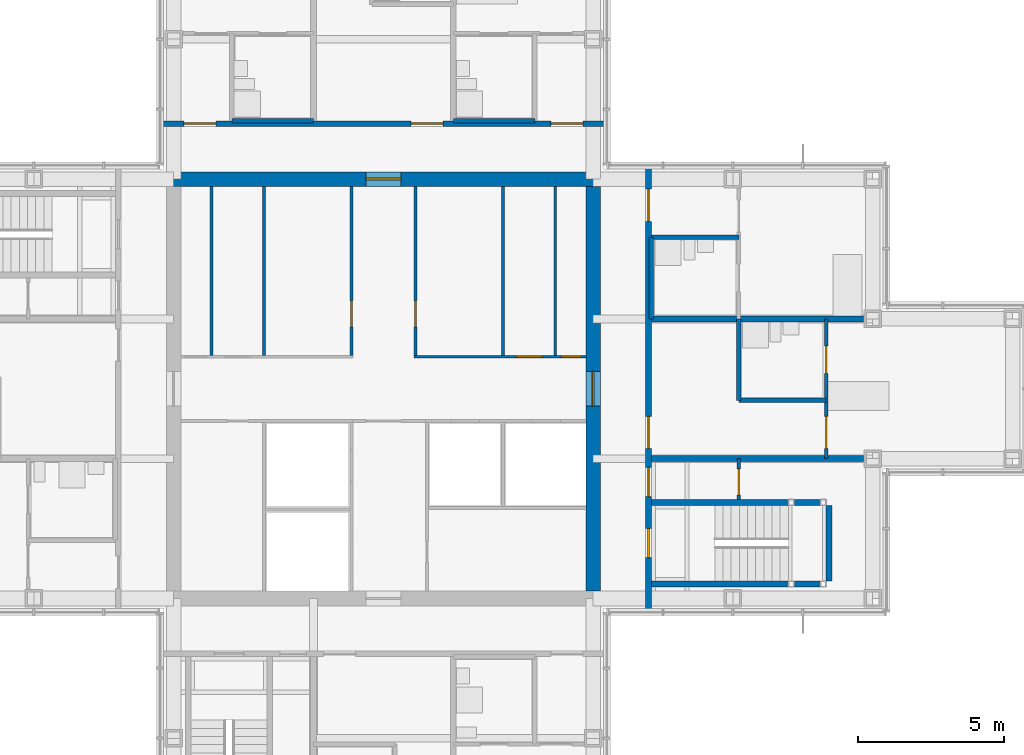
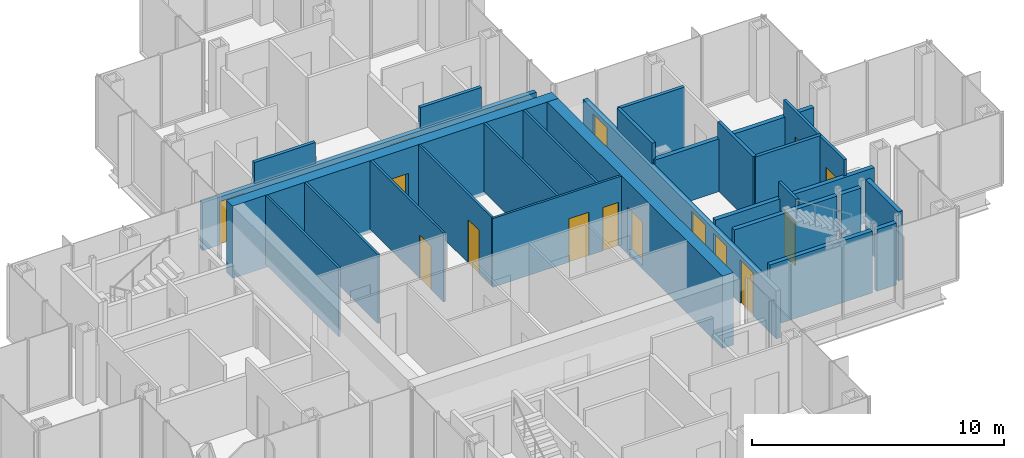
# One storey, part 13 of 17: 26 walls, 16 doors, 16 openings.
"""IFC4 building model written with IfcOpenShell, lengths in metres."""

from ifc_helpers import new_model, si_unit, direction, frame, frame_2d, origin, place, context, subcontext, project, spatial, rectangle, extrude, material, layer, layer_set, type_object, element, fill, save


model = new_model("IFC4")

# Units and contexts
model_context = context("Model", 3, precision=1e-05, world=origin(), true_north=direction((0.0, 1.0)))
body_context = subcontext(model_context, "Body", "Model", "MODEL_VIEW")
ifc_project = project(units=[si_unit("LENGTHUNIT", "METRE"), si_unit("AREAUNIT", "SQUARE_METRE"), si_unit("VOLUMEUNIT", "CUBIC_METRE"), si_unit("PLANEANGLEUNIT", "RADIAN"), si_unit("MASSUNIT", "GRAM", prefix="KILO")], contexts=[model_context])

# Site, building, storey
site_placement = place(None, origin())
site = spatial("IfcSite", under=ifc_project, at=site_placement, CompositionType="ELEMENT")
building_placement = place(site_placement, origin())
building = spatial("IfcBuilding", under=site, at=building_placement, Name="Kvirike Care Tower", CompositionType="ELEMENT")
storey_placement = place(building_placement, frame((0.0, 0.0, 176.0)))
storey = spatial("IfcBuildingStorey", under=building, at=storey_placement, Name="L48", CompositionType="ELEMENT", Elevation=176.0)

# Walls
ifc_material_1 = material(Name="Moisture-resistant board partition", Category="gypsum")
ifc_layer_1 = layer(ifc_material_1, 0.14990234375)
ifc_layer_set_1 = layer_set([ifc_layer_1], Name="BATHROOM WALL 150")
wall_type_1 = type_object("IfcWallType", Name="BATHROOM WALL 150", PredefinedType="PARTITIONING", material=ifc_layer_set_1)
for number, where, z_axis, x_axis, name in (
    (1, (26.800048828125, 45.199951171875, 0.0), (0.0, 0.0, 1.0), (-1.0, 0.0, 0.0), "Bathroom Wall 150 L48"),
    (2, (19.199951171875, 45.199951171875, 0.0), (0.0, 0.0, 1.0), (-1.0, 0.0, 0.0), "Bathroom Wall 150 L48"),
):
    element("IfcWall", number, at=place(storey_placement, frame(where, z_axis=z_axis, x_axis=x_axis)), inside=storey, type_object=wall_type_1, Name=name, PredefinedType="PARTITIONING", context=body_context, shape_type="SweptSolid", body=[
        extrude(rectangle(XDim=2.800048828125, YDim=0.14990234375, at=frame_2d((1.39990234375, 0.0))), origin(), (0.0, 0.0, 1.0), 3.330078125),
    ])
wall_1_placement = place(storey_placement, frame((36.800048828125, 35.60009765625, 0.0), z_axis=(0.0, 0.0, 1.0), x_axis=(-1.0, 0.0, 0.0)))
element("IfcWall", 3, at=wall_1_placement, inside=storey, type_object=wall_type_1, Name="Bathroom Wall 150 L48", PredefinedType="PARTITIONING", context=body_context, shape_type="SweptSolid", body=[
    extrude(rectangle(XDim=3.0, YDim=0.14990234375, at=frame_2d((1.5, 0.0))), origin(), (0.0, 0.0, 1.0), 3.330078125),
])
wall_2_placement = place(storey_placement, frame((33.800048828125, 35.60009765625, 0.0), z_axis=(0.0, 0.0, 1.0), x_axis=(0.0, 1.0, 0.0)))
element("IfcWall", 4, at=wall_2_placement, inside=storey, type_object=wall_type_1, Name="Bathroom Wall 150 L48", PredefinedType="PARTITIONING", context=body_context, shape_type="SweptSolid", body=[
    extrude(rectangle(XDim=2.7998046875, YDim=0.14990234375, at=frame_2d((1.39990234375, 0.0))), origin(), (0.0, 0.0, 1.0), 3.330078125),
])
wall_3_placement = place(storey_placement, frame((33.800048828125, 41.199951171875, 0.0), z_axis=(0.0, 0.0, 1.0), x_axis=(-1.0, 0.0, 0.0)))
element("IfcWall", 5, at=wall_3_placement, inside=storey, type_object=wall_type_1, Name="Bathroom Wall 150 L48", PredefinedType="PARTITIONING", context=body_context, shape_type="SweptSolid", body=[
    extrude(rectangle(XDim=3.0, YDim=0.14990234375, at=frame_2d((1.5, 0.0))), origin(), (0.0, 0.0, 1.0), 3.330078125),
])
wall_4_placement = place(storey_placement, frame((30.800048828125, 38.39990234375, 0.0), z_axis=(0.0, 0.0, 1.0), x_axis=(0.0, 1.0, 0.0)))
element("IfcWall", 6, at=wall_4_placement, inside=storey, type_object=wall_type_1, Name="Bathroom Wall 150 L48", PredefinedType="PARTITIONING", context=body_context, shape_type="SweptSolid", body=[
    extrude(rectangle(XDim=2.800048828125, YDim=0.14990234375, at=frame_2d((1.39990234375, 0.0))), origin(), (0.0, 0.0, 1.0), 3.330078125),
])

# Wall, opening, door
ifc_material_2 = material(Name="Concrete C45/55", Category="concrete")
ifc_layer_2 = layer(ifc_material_2, 0.5)
ifc_layer_set_2 = layer_set([ifc_layer_2], Name="CORE WALL 500 C45-55")
wall_type_2 = type_object("IfcWallType", Name="CORE WALL 500 C45-55", PredefinedType="SHEAR", material=ifc_layer_set_2)
wall_5_placement = place(storey_placement, frame((29.050048828125, 43.199951171875, -0.169921875), z_axis=(0.0, 0.0, 1.0), x_axis=(-1.0, 0.0, 0.0)))
wall_5 = element("IfcWall", 7, at=wall_5_placement, inside=storey, type_object=wall_type_2, Name="Core wall N L48", PredefinedType="SHEAR", context=body_context, shape_type="SweptSolid", body=[
    extrude(rectangle(XDim=14.900146484375, YDim=0.5, at=frame_2d((7.4501953125, 0.0))), origin(), (0.0, 0.0, 1.0), 3.5),
])
opening_1_placement = place(wall_5_placement, frame((6.85009765625, 0.0, 0.169921875)))
opening_1 = element("IfcOpeningElement", 8, at=opening_1_placement, cuts=wall_5, Name="Opening 48-052", PredefinedType="OPENING", context=body_context, shape_type="SweptSolid", body=[
    extrude(rectangle(XDim=1.199951171875, YDim=2.10009765625, at=frame_2d((0.60009765625, 1.050048828125))), frame((0.0, 0.260498046875, 0.0), z_axis=(0.0, -1.0, 0.0), x_axis=(1.0, 0.0, 0.0)), (0.0, 0.0, 1.0), 0.52099609375),
])
ifc_material_3 = material(Name="Timber door set", Category="wood")
door_type_1 = type_object("IfcDoorType", Name="CORE DOOR 1200", OperationType="SINGLE_SWING_LEFT", PredefinedType="DOOR", material=ifc_material_3)
door_1_placement = place(opening_1_placement, origin())
door_1 = element("IfcDoor", 9, at=door_1_placement, inside=storey, type_object=door_type_1, Name="Core door N L48", OperationType="SINGLE_SWING_LEFT", OverallHeight=2.10009765625, OverallWidth=1.199951171875, PredefinedType="DOOR", context=body_context, shape_type="SweptSolid", body=[
    extrude(rectangle(XDim=1.199951171875, YDim=2.10009765625, at=frame_2d((0.60009765625, 1.050048828125))), frame((0.0, 0.02685546875, 0.0), z_axis=(0.0, -1.0, 0.0), x_axis=(1.0, 0.0, 0.0)), (0.0, 0.0, 1.0), 0.053955078125),
])
fill(opening_1, door_1)

wall_6_placement = place(storey_placement, frame((28.800048828125, 29.050048828125, -0.169921875), z_axis=(0.0, 0.0, 1.0), x_axis=(0.0, 1.0, 0.0)))
wall_6 = element("IfcWall", 10, at=wall_6_placement, inside=storey, type_object=wall_type_2, Name="Core wall E L48", PredefinedType="SHEAR", context=body_context, shape_type="SweptSolid", body=[
    extrude(rectangle(XDim=13.89990234375, YDim=0.5, at=frame_2d((6.949951171875, 0.0))), origin(), (0.0, 0.0, 1.0), 3.5),
])
opening_2_placement = place(wall_6_placement, frame((6.35009765625, 0.0, 0.169921875)))
opening_2 = element("IfcOpeningElement", 11, at=opening_2_placement, cuts=wall_6, Name="Opening 48-051", PredefinedType="OPENING", context=body_context, shape_type="SweptSolid", body=[
    extrude(rectangle(XDim=1.199951171875, YDim=2.10009765625, at=frame_2d((0.60009765625, 1.050048828125))), frame((0.0, 0.260498046875, 0.0), z_axis=(0.0, -1.0, 0.0), x_axis=(1.0, 0.0, 0.0)), (0.0, 0.0, 1.0), 0.52099609375),
])
door_2_placement = place(opening_2_placement, origin())
door_2 = element("IfcDoor", 12, at=door_2_placement, inside=storey, type_object=door_type_1, Name="Core door E L48", OperationType="SINGLE_SWING_LEFT", OverallHeight=2.10009765625, OverallWidth=1.199951171875, PredefinedType="DOOR", context=body_context, shape_type="SweptSolid", body=[
    extrude(rectangle(XDim=1.199951171875, YDim=2.10009765625, at=frame_2d((0.60009765625, 1.050048828125))), frame((0.0, 0.02685546875, 0.0), z_axis=(0.0, -1.0, 0.0), x_axis=(1.0, 0.0, 0.0)), (0.0, 0.0, 1.0), 0.053955078125),
])
fill(opening_2, door_2)

# Wall, openings, doors
ifc_material_4 = material(Name="Plasterboard corridor wall", Category="gypsum")
ifc_layer_3 = layer(ifc_material_4, 0.199951171875)
ifc_layer_set_3 = layer_set([ifc_layer_3], Name="CORRIDOR WALL 200")
wall_type_3 = type_object("IfcWallType", Name="CORRIDOR WALL 200", PredefinedType="PARTITIONING", material=ifc_layer_set_3)
wall_7_placement = place(storey_placement, frame((29.25, 45.10009765625, 0.0), z_axis=(0.0, 0.0, 1.0), x_axis=(-1.0, 0.0, 0.0)))
wall_7 = element("IfcWall", 13, at=wall_7_placement, inside=storey, type_object=wall_type_3, Name="Corridor Wall 200 L48", PredefinedType="PARTITIONING", context=body_context, shape_type="SweptSolid", body=[
    extrude(rectangle(XDim=15.300048828125, YDim=0.199951171875, at=frame_2d((7.64990234375, 0.0))), origin(), (0.0, 0.0, 1.0), 2.320068359375),
])
opening_3_placement = place(wall_7_placement, frame((0.800048828125, 0.0, 0.0)))
opening_3 = element("IfcOpeningElement", 14, at=opening_3_placement, cuts=wall_7, Name="Opening 48-024", PredefinedType="OPENING", context=body_context, shape_type="SweptSolid", body=[
    extrude(rectangle(XDim=1.10009765625, YDim=2.10009765625, at=frame_2d((0.550048828125, 1.050048828125))), frame((0.0, 0.110595703125, 0.0), z_axis=(0.0, -1.0, 0.0), x_axis=(1.0, 0.0, 0.0)), (0.0, 0.0, 1.0), 0.220947265625),
])
opening_4_placement = place(wall_7_placement, frame((5.60009765625, 0.0, 0.0)))
opening_4 = element("IfcOpeningElement", 15, at=opening_4_placement, cuts=wall_7, Name="Opening 48-025", PredefinedType="OPENING", context=body_context, shape_type="SweptSolid", body=[
    extrude(rectangle(XDim=1.10009765625, YDim=2.10009765625, at=frame_2d((0.550048828125, 1.050048828125))), frame((0.0, 0.110595703125, 0.0), z_axis=(0.0, -1.0, 0.0), x_axis=(1.0, 0.0, 0.0)), (0.0, 0.0, 1.0), 0.220947265625),
])
opening_5_placement = place(wall_7_placement, frame((13.39990234375, 0.0, 0.0)))
opening_5 = element("IfcOpeningElement", 16, at=opening_5_placement, cuts=wall_7, Name="Opening 48-026", PredefinedType="OPENING", context=body_context, shape_type="SweptSolid", body=[
    extrude(rectangle(XDim=1.10009765625, YDim=2.10009765625, at=frame_2d((0.550048828125, 1.050048828125))), frame((0.0, 0.110595703125, 0.0), z_axis=(0.0, -1.0, 0.0), x_axis=(1.0, 0.0, 0.0)), (0.0, 0.0, 1.0), 0.220947265625),
])
ifc_material_5 = material(Name="Timber door set", Category="wood")
door_type_2 = type_object("IfcDoorType", Name="BEDROOM ENTRANCE DOOR 1100", OperationType="SINGLE_SWING_LEFT", PredefinedType="DOOR", material=ifc_material_5)
door_3_placement = place(opening_3_placement, frame((1.10009765625, 0.0, 0.0), z_axis=(0.0, 0.0, 1.0), x_axis=(-1.0, 0.0, 0.0)))
door_3 = element("IfcDoor", 17, at=door_3_placement, inside=storey, type_object=door_type_2, Name="Memory care bedroom entrance", OperationType="SINGLE_SWING_LEFT", OverallHeight=2.10009765625, OverallWidth=1.10009765625, PredefinedType="DOOR", context=body_context, shape_type="SweptSolid", body=[
    extrude(rectangle(XDim=1.10009765625, YDim=2.10009765625, at=frame_2d((0.550048828125, 1.050048828125))), frame((0.0, 0.02685546875, 0.0), z_axis=(0.0, -1.0, 0.0), x_axis=(1.0, 0.0, 0.0)), (0.0, 0.0, 1.0), 0.053955078125),
])
fill(opening_3, door_3)
door_4_placement = place(opening_4_placement, frame((1.10009765625, 0.0, 0.0), z_axis=(0.0, 0.0, 1.0), x_axis=(-1.0, 0.0, 0.0)))
door_4 = element("IfcDoor", 18, at=door_4_placement, inside=storey, type_object=door_type_2, Name="Memory care bedroom entrance", OperationType="SINGLE_SWING_LEFT", OverallHeight=2.10009765625, OverallWidth=1.10009765625, PredefinedType="DOOR", context=body_context, shape_type="SweptSolid", body=[
    extrude(rectangle(XDim=1.10009765625, YDim=2.10009765625, at=frame_2d((0.550048828125, 1.050048828125))), frame((0.0, 0.02685546875, 0.0), z_axis=(0.0, -1.0, 0.0), x_axis=(1.0, 0.0, 0.0)), (0.0, 0.0, 1.0), 0.053955078125),
])
fill(opening_4, door_4)
door_5_placement = place(opening_5_placement, frame((1.10009765625, 0.0, 0.0), z_axis=(0.0, 0.0, 1.0), x_axis=(-1.0, 0.0, 0.0)))
door_5 = element("IfcDoor", 19, at=door_5_placement, inside=storey, type_object=door_type_2, Name="Memory care bedroom entrance", OperationType="SINGLE_SWING_RIGHT", OverallHeight=2.10009765625, OverallWidth=1.10009765625, PredefinedType="DOOR", context=body_context, shape_type="SweptSolid", body=[
    extrude(rectangle(XDim=1.10009765625, YDim=2.10009765625, at=frame_2d((0.550048828125, 1.050048828125))), frame((0.0, 0.02685546875, 0.0), z_axis=(0.0, -1.0, 0.0), x_axis=(1.0, 0.0, 0.0)), (0.0, 0.0, 1.0), 0.053955078125),
])
fill(opening_5, door_5)

wall_8_placement = place(storey_placement, frame((30.699951171875, 28.35009765625, 0.0), z_axis=(0.0, 0.0, 1.0), x_axis=(0.0, 1.0, 0.0)))
wall_8 = element("IfcWall", 20, at=wall_8_placement, inside=storey, type_object=wall_type_3, Name="Corridor Wall 200 L48", PredefinedType="PARTITIONING", context=body_context, shape_type="SweptSolid", body=[
    extrude(rectangle(XDim=15.2998046875, YDim=0.199951171875, at=frame_2d((7.64990234375, 0.0))), origin(), (0.0, 0.0, 1.0), 2.320068359375),
])
opening_6_placement = place(wall_8_placement, frame((1.85009765625, 0.0, 0.0)))
opening_6 = element("IfcOpeningElement", 21, at=opening_6_placement, cuts=wall_8, Name="Opening 48-032", PredefinedType="OPENING", context=body_context, shape_type="SweptSolid", body=[
    extrude(rectangle(XDim=1.0, YDim=2.10009765625, at=frame_2d((0.5, 1.050048828125))), frame((0.0, 0.110595703125, 0.0), z_axis=(0.0, -1.0, 0.0), x_axis=(1.0, 0.0, 0.0)), (0.0, 0.0, 1.0), 0.220947265625),
])
opening_7_placement = place(wall_8_placement, frame((3.949951171875, 0.0, 0.0)))
opening_7 = element("IfcOpeningElement", 22, at=opening_7_placement, cuts=wall_8, Name="Opening 48-033", PredefinedType="OPENING", context=body_context, shape_type="SweptSolid", body=[
    extrude(rectangle(XDim=1.0, YDim=2.10009765625, at=frame_2d((0.5, 1.050048828125))), frame((0.0, 0.110595703125, 0.0), z_axis=(0.0, -1.0, 0.0), x_axis=(1.0, 0.0, 0.0)), (0.0, 0.0, 1.0), 0.220947265625),
])
opening_8_placement = place(wall_8_placement, frame((5.60009765625, 0.0, 0.0)))
opening_8 = element("IfcOpeningElement", 23, at=opening_8_placement, cuts=wall_8, Name="Opening 48-034", PredefinedType="OPENING", context=body_context, shape_type="SweptSolid", body=[
    extrude(rectangle(XDim=1.10009765625, YDim=2.10009765625, at=frame_2d((0.550048828125, 1.050048828125))), frame((0.0, 0.110595703125, 0.0), z_axis=(0.0, -1.0, 0.0), x_axis=(1.0, 0.0, 0.0)), (0.0, 0.0, 1.0), 0.220947265625),
])
opening_9_placement = place(wall_8_placement, frame((13.39990234375, 0.0, 0.0)))
opening_9 = element("IfcOpeningElement", 24, at=opening_9_placement, cuts=wall_8, Name="Opening 48-035", PredefinedType="OPENING", context=body_context, shape_type="SweptSolid", body=[
    extrude(rectangle(XDim=1.10009765625, YDim=2.10009765625, at=frame_2d((0.550048828125, 1.050048828125))), frame((0.0, 0.110595703125, 0.0), z_axis=(0.0, -1.0, 0.0), x_axis=(1.0, 0.0, 0.0)), (0.0, 0.0, 1.0), 0.220947265625),
])
door_6_placement = place(opening_8_placement, frame((1.10009765625, 0.0, 0.0), z_axis=(0.0, 0.0, 1.0), x_axis=(-1.0, 0.0, 0.0)))
door_6 = element("IfcDoor", 25, at=door_6_placement, inside=storey, type_object=door_type_2, Name="Memory care bedroom entrance", OperationType="SINGLE_SWING_LEFT", OverallHeight=2.10009765625, OverallWidth=1.10009765625, PredefinedType="DOOR", context=body_context, shape_type="SweptSolid", body=[
    extrude(rectangle(XDim=1.10009765625, YDim=2.10009765625, at=frame_2d((0.550048828125, 1.050048828125))), frame((0.0, 0.02685546875, 0.0), z_axis=(0.0, -1.0, 0.0), x_axis=(1.0, 0.0, 0.0)), (0.0, 0.0, 1.0), 0.053955078125),
])
fill(opening_8, door_6)
door_7_placement = place(opening_9_placement, frame((1.10009765625, 0.0, 0.0), z_axis=(0.0, 0.0, 1.0), x_axis=(-1.0, 0.0, 0.0)))
door_7 = element("IfcDoor", 26, at=door_7_placement, inside=storey, type_object=door_type_2, Name="Memory care bedroom entrance", OperationType="SINGLE_SWING_RIGHT", OverallHeight=2.10009765625, OverallWidth=1.10009765625, PredefinedType="DOOR", context=body_context, shape_type="SweptSolid", body=[
    extrude(rectangle(XDim=1.10009765625, YDim=2.10009765625, at=frame_2d((0.550048828125, 1.050048828125))), frame((0.0, 0.02685546875, 0.0), z_axis=(0.0, -1.0, 0.0), x_axis=(1.0, 0.0, 0.0)), (0.0, 0.0, 1.0), 0.053955078125),
])
fill(opening_9, door_7)
ifc_material_6 = material(Name="Timber door set", Category="wood")
door_type_3 = type_object("IfcDoorType", Name="FLAT ENTRANCE DOOR 1000", OperationType="SINGLE_SWING_LEFT", PredefinedType="DOOR", material=ifc_material_6)
door_8_placement = place(opening_7_placement, frame((1.0, 0.0, 0.0), z_axis=(0.0, 0.0, 1.0), x_axis=(-1.0, 0.0, 0.0)))
door_8 = element("IfcDoor", 27, at=door_8_placement, inside=storey, type_object=door_type_3, Name="Activity room entrance", OperationType="SINGLE_SWING_LEFT", OverallHeight=2.10009765625, OverallWidth=1.0, PredefinedType="DOOR", context=body_context, shape_type="SweptSolid", body=[
    extrude(rectangle(XDim=1.0, YDim=2.10009765625, at=frame_2d((0.5, 1.050048828125))), frame((0.0, 0.02685546875, 0.0), z_axis=(0.0, -1.0, 0.0), x_axis=(1.0, 0.0, 0.0)), (0.0, 0.0, 1.0), 0.053955078125),
])
fill(opening_7, door_8)
ifc_material_7 = material(Name="Timber door set", Category="wood")
door_type_4 = type_object("IfcDoorType", Name="STAIR DOOR 1000", OperationType="SINGLE_SWING_LEFT", PredefinedType="DOOR", material=ifc_material_7)
door_9_placement = place(opening_6_placement, frame((1.0, 0.0, 0.0), z_axis=(0.0, 0.0, 1.0), x_axis=(-1.0, 0.0, 0.0)))
door_9 = element("IfcDoor", 28, at=door_9_placement, inside=storey, type_object=door_type_4, Name="Stair 2 door", OperationType="SINGLE_SWING_LEFT", OverallHeight=2.10009765625, OverallWidth=1.0, PredefinedType="DOOR", context=body_context, shape_type="SweptSolid", body=[
    extrude(rectangle(XDim=1.0, YDim=2.10009765625, at=frame_2d((0.5, 1.050048828125))), frame((0.0, 0.031982421875, 0.0), z_axis=(0.0, -1.0, 0.0), x_axis=(1.0, 0.0, 0.0)), (0.0, 0.0, 1.0), 0.06396484375),
])
fill(opening_6, door_9)

# Wall, opening, door
ifc_material_8 = material(Name="Plasterboard partition", Category="gypsum")
ifc_layer_4 = layer(ifc_material_8, 0.1201171875)
ifc_layer_set_4 = layer_set([ifc_layer_4], Name="PARTITION 120")
wall_type_4 = type_object("IfcWallType", Name="PARTITION 120", PredefinedType="PARTITIONING", material=ifc_layer_set_4)
wall_9_placement = place(storey_placement, frame((33.800048828125, 32.199951171875, 0.0), z_axis=(0.0, 0.0, 1.0), x_axis=(0.0, 1.0, 0.0)))
wall_9 = element("IfcWall", 29, at=wall_9_placement, inside=storey, type_object=wall_type_4, Name="Partition 120 L48", PredefinedType="PARTITIONING", context=body_context, shape_type="SweptSolid", body=[
    extrude(rectangle(XDim=1.400146484375, YDim=0.1201171875, at=frame_2d((0.7001953125, 0.0))), origin(), (0.0, 0.0, 1.0), 3.330078125),
])
opening_10_placement = place(wall_9_placement, frame((0.14990234375, 0.0, 0.0)))
opening_10 = element("IfcOpeningElement", 30, at=opening_10_placement, cuts=wall_9, Name="Opening 48-027", PredefinedType="OPENING", context=body_context, shape_type="SweptSolid", body=[
    extrude(rectangle(XDim=0.89990234375, YDim=2.10009765625, at=frame_2d((0.449951171875, 1.050048828125))), frame((0.0, 0.070556640625, 0.0), z_axis=(0.0, -1.0, 0.0), x_axis=(1.0, 0.0, 0.0)), (0.0, 0.0, 1.0), 0.14111328125),
])
ifc_material_9 = material(Name="Timber door set", Category="wood")
door_type_5 = type_object("IfcDoorType", Name="INTERNAL DOOR 900", OperationType="SINGLE_SWING_LEFT", PredefinedType="DOOR", material=ifc_material_9)
door_10_placement = place(opening_10_placement, origin())
door_10 = element("IfcDoor", 31, at=door_10_placement, inside=storey, type_object=door_type_5, Name="Activity room door", OperationType="SINGLE_SWING_RIGHT", OverallHeight=2.10009765625, OverallWidth=0.89990234375, PredefinedType="DOOR", context=body_context, shape_type="SweptSolid", body=[
    extrude(rectangle(XDim=0.89990234375, YDim=2.10009765625, at=frame_2d((0.449951171875, 1.050048828125))), frame((0.0, 0.02197265625, 0.0), z_axis=(0.0, -1.0, 0.0), x_axis=(1.0, 0.0, 0.0)), (0.0, 0.0, 1.0), 0.0439453125),
])
fill(opening_10, door_10)

# Wall, openings, doors
wall_10_placement = place(storey_placement, frame((36.800048828125, 33.60009765625, 0.0), z_axis=(0.0, 0.0, 1.0), x_axis=(0.0, 1.0, 0.0)))
wall_10 = element("IfcWall", 32, at=wall_10_placement, inside=storey, type_object=wall_type_4, Name="Partition 120 L48", PredefinedType="PARTITIONING", context=body_context, shape_type="SweptSolid", body=[
    extrude(rectangle(XDim=4.7998046875, YDim=0.1201171875, at=frame_2d((2.39990234375, 0.0))), origin(), (0.0, 0.0, 1.0), 3.330078125),
])
opening_11_placement = place(wall_10_placement, frame((0.35009765625, 0.0, 0.0)))
opening_11 = element("IfcOpeningElement", 33, at=opening_11_placement, cuts=wall_10, Name="Opening 48-028", PredefinedType="OPENING", context=body_context, shape_type="SweptSolid", body=[
    extrude(rectangle(XDim=1.10009765625, YDim=2.10009765625, at=frame_2d((0.550048828125, 1.050048828125))), frame((0.0, 0.070556640625, 0.0), z_axis=(0.0, -1.0, 0.0), x_axis=(1.0, 0.0, 0.0)), (0.0, 0.0, 1.0), 0.14111328125),
])
opening_12_placement = place(wall_10_placement, frame((2.925048828125, 0.0, 0.0)))
opening_12 = element("IfcOpeningElement", 34, at=opening_12_placement, cuts=wall_10, Name="Opening 48-029", PredefinedType="OPENING", context=body_context, shape_type="SweptSolid", body=[
    extrude(rectangle(XDim=0.949951171875, YDim=2.10009765625, at=frame_2d((0.47509765625, 1.050048828125))), frame((0.0, 0.070556640625, 0.0), z_axis=(0.0, -1.0, 0.0), x_axis=(1.0, 0.0, 0.0)), (0.0, 0.0, 1.0), 0.14111328125),
])
ifc_material_10 = material(Name="Timber door set", Category="wood")
door_type_6 = type_object("IfcDoorType", Name="BEDROOM DOOR 1100", OperationType="SINGLE_SWING_LEFT", PredefinedType="DOOR", material=ifc_material_10)
door_11_placement = place(opening_11_placement, origin())
door_11 = element("IfcDoor", 35, at=door_11_placement, inside=storey, type_object=door_type_6, Name="Memory care bedroom door", OperationType="SINGLE_SWING_RIGHT", OverallHeight=2.10009765625, OverallWidth=1.10009765625, PredefinedType="DOOR", context=body_context, shape_type="SweptSolid", body=[
    extrude(rectangle(XDim=1.10009765625, YDim=2.10009765625, at=frame_2d((0.550048828125, 1.050048828125))), frame((0.0, 0.02197265625, 0.0), z_axis=(0.0, -1.0, 0.0), x_axis=(1.0, 0.0, 0.0)), (0.0, 0.0, 1.0), 0.0439453125),
])
fill(opening_11, door_11)
ifc_material_11 = material(Name="Timber door set", Category="wood")
door_type_7 = type_object("IfcDoorType", Name="EN-SUITE SLIDING DOOR 950", OperationType="SLIDING_TO_LEFT", PredefinedType="DOOR", material=ifc_material_11)
door_12_placement = place(opening_12_placement, origin())
door_12 = element("IfcDoor", 36, at=door_12_placement, inside=storey, type_object=door_type_7, Name="En-suite door", OperationType="SLIDING_TO_LEFT", OverallHeight=2.10009765625, OverallWidth=0.949951171875, PredefinedType="DOOR", context=body_context, shape_type="SweptSolid", body=[
    extrude(rectangle(XDim=0.949951171875, YDim=2.10009765625, at=frame_2d((0.47509765625, 1.050048828125))), frame((0.0, 0.02197265625, 0.0), z_axis=(0.0, -1.0, 0.0), x_axis=(1.0, 0.0, 0.0)), (0.0, 0.0, 1.0), 0.0439453125),
])
fill(opening_12, door_12)

# Walls
ifc_material_12 = material(Name="Plasterboard party wall", Category="gypsum")
ifc_layer_5 = layer(ifc_material_12, 0.199951171875)
ifc_layer_set_5 = layer_set([ifc_layer_5], Name="PARTY WALL 200")
wall_type_5 = type_object("IfcWallType", Name="PARTY WALL 200", PredefinedType="PARTITIONING", material=ifc_layer_set_5)
for number, where, z_axis, x_axis, name in (
    (37, (38.080078125, 33.60009765625, 0.0), (0.0, 0.0, 1.0), (-1.0, 0.0, 0.0), "Party Wall 200 L48"),
    (38, (38.080078125, 38.39990234375, 0.0), (0.0, 0.0, 1.0), (-1.0, 0.0, 0.0), "Party Wall 200 L48"),
):
    element("IfcWall", number, at=place(storey_placement, frame(where, z_axis=z_axis, x_axis=x_axis)), inside=storey, type_object=wall_type_5, Name=name, PredefinedType="PARTITIONING", context=body_context, shape_type="SweptSolid", body=[
        extrude(rectangle(XDim=7.280029296875, YDim=0.199951171875, at=frame_2d((3.64013671875, 0.0))), origin(), (0.0, 0.0, 1.0), 2.550048828125),
    ])
ifc_material_13 = material(Name="Gypsum shaft wall system", Category="gypsum")
ifc_layer_6 = layer(ifc_material_13, 0.10009765625)
ifc_layer_set_6 = layer_set([ifc_layer_6], Name="SHAFT WALL 100")
wall_type_6 = type_object("IfcWallType", Name="SHAFT WALL 100", PredefinedType="SOLIDWALL", material=ifc_layer_set_6)
for number, where, z_axis, x_axis, name in (
    (39, (15.699951171875, 37.14990234375, 0.0), (0.0, 0.0, 1.0), (0.0, 1.0, 0.0), "Shaft Wall 100 L48"),
    (40, (27.5, 37.14990234375, 0.0), (0.0, 0.0, 1.0), (0.0, 1.0, 0.0), "Shaft Wall 100 L48"),
):
    element("IfcWall", number, at=place(storey_placement, frame(where, z_axis=z_axis, x_axis=x_axis)), inside=storey, type_object=wall_type_6, Name=name, PredefinedType="SOLIDWALL", context=body_context, shape_type="SweptSolid", body=[
        extrude(rectangle(XDim=5.800048828125, YDim=0.10009765625, at=frame_2d((2.89990234375, 0.0))), origin(), (0.0, 0.0, 1.0), 3.330078125),
    ])

# Wall, opening, door
wall_11_placement = place(storey_placement, frame((20.5, 37.14990234375, 0.0), z_axis=(0.0, 0.0, 1.0), x_axis=(0.0, 1.0, 0.0)))
wall_11 = element("IfcWall", 41, at=wall_11_placement, inside=storey, type_object=wall_type_6, Name="Shaft Wall 100 L48", PredefinedType="SOLIDWALL", context=body_context, shape_type="SweptSolid", body=[
    extrude(rectangle(XDim=5.800048828125, YDim=0.10009765625, at=frame_2d((2.89990234375, 0.0))), origin(), (0.0, 0.0, 1.0), 3.330078125),
])
opening_13_placement = place(wall_11_placement, frame((0.97509765625, 0.0, 0.0)))
opening_13 = element("IfcOpeningElement", 42, at=opening_13_placement, cuts=wall_11, Name="Opening 48-038", PredefinedType="OPENING", context=body_context, shape_type="SweptSolid", body=[
    extrude(rectangle(XDim=0.89990234375, YDim=2.10009765625, at=frame_2d((0.449951171875, 1.050048828125))), frame((0.0, 0.060546875, 0.0), z_axis=(0.0, -1.0, 0.0), x_axis=(1.0, 0.0, 0.0)), (0.0, 0.0, 1.0), 0.12109375),
])
ifc_material_14 = material(Name="Timber door set", Category="wood")
door_type_8 = type_object("IfcDoorType", Name="STORE DOOR 900", OperationType="SINGLE_SWING_LEFT", PredefinedType="DOOR", material=ifc_material_14)
door_13_placement = place(opening_13_placement, origin())
door_13 = element("IfcDoor", 43, at=door_13_placement, inside=storey, type_object=door_type_8, Name="Staff room door", OperationType="SINGLE_SWING_RIGHT", OverallHeight=2.10009765625, OverallWidth=0.89990234375, PredefinedType="DOOR", context=body_context, shape_type="SweptSolid", body=[
    extrude(rectangle(XDim=0.89990234375, YDim=2.10009765625, at=frame_2d((0.449951171875, 1.050048828125))), frame((0.0, 0.02685546875, 0.0), z_axis=(0.0, -1.0, 0.0), x_axis=(1.0, 0.0, 0.0)), (0.0, 0.0, 1.0), 0.053955078125),
])
fill(opening_13, door_13)

wall_12_placement = place(storey_placement, frame((22.699951171875, 37.14990234375, 0.0), z_axis=(0.0, 0.0, 1.0), x_axis=(0.0, 1.0, 0.0)))
wall_12 = element("IfcWall", 44, at=wall_12_placement, inside=storey, type_object=wall_type_6, Name="Shaft Wall 100 L48", PredefinedType="SOLIDWALL", context=body_context, shape_type="SweptSolid", body=[
    extrude(rectangle(XDim=5.800048828125, YDim=0.10009765625, at=frame_2d((2.89990234375, 0.0))), origin(), (0.0, 0.0, 1.0), 3.330078125),
])
opening_14_placement = place(wall_12_placement, frame((0.97509765625, 0.0, 0.0)))
opening_14 = element("IfcOpeningElement", 45, at=opening_14_placement, cuts=wall_12, Name="Opening 48-039", PredefinedType="OPENING", context=body_context, shape_type="SweptSolid", body=[
    extrude(rectangle(XDim=0.89990234375, YDim=2.10009765625, at=frame_2d((0.449951171875, 1.050048828125))), frame((0.0, 0.060546875, 0.0), z_axis=(0.0, -1.0, 0.0), x_axis=(1.0, 0.0, 0.0)), (0.0, 0.0, 1.0), 0.12109375),
])
door_14_placement = place(opening_14_placement, frame((0.89990234375, 0.0, 0.0), z_axis=(0.0, 0.0, 1.0), x_axis=(-1.0, 0.0, 0.0)))
door_14 = element("IfcDoor", 46, at=door_14_placement, inside=storey, type_object=door_type_8, Name="Records store door", OperationType="SINGLE_SWING_LEFT", OverallHeight=2.10009765625, OverallWidth=0.89990234375, PredefinedType="DOOR", context=body_context, shape_type="SweptSolid", body=[
    extrude(rectangle(XDim=0.89990234375, YDim=2.10009765625, at=frame_2d((0.449951171875, 1.050048828125))), frame((0.0, 0.02685546875, 0.0), z_axis=(0.0, -1.0, 0.0), x_axis=(1.0, 0.0, 0.0)), (0.0, 0.0, 1.0), 0.053955078125),
])
fill(opening_14, door_14)

# Wall, openings, doors
wall_13_placement = place(storey_placement, frame((22.64990234375, 37.10009765625, 0.0), z_axis=(0.0, 0.0, 1.0), x_axis=(1.0, 0.0, 0.0)))
wall_13 = element("IfcWall", 47, at=wall_13_placement, inside=storey, type_object=wall_type_6, Name="Shaft Wall 100 L48", PredefinedType="SOLIDWALL", context=body_context, shape_type="SweptSolid", body=[
    extrude(rectangle(XDim=5.900146484375, YDim=0.10009765625, at=frame_2d((2.9501953125, 0.0))), origin(), (0.0, 0.0, 1.0), 3.330078125),
])
opening_15_placement = place(wall_13_placement, frame((3.5, 0.0, 0.0)))
opening_15 = element("IfcOpeningElement", 48, at=opening_15_placement, cuts=wall_13, Name="Opening 48-046", PredefinedType="OPENING", context=body_context, shape_type="SweptSolid", body=[
    extrude(rectangle(XDim=0.89990234375, YDim=2.10009765625, at=frame_2d((0.449951171875, 1.050048828125))), frame((0.0, 0.060546875, 0.0), z_axis=(0.0, -1.0, 0.0), x_axis=(1.0, 0.0, 0.0)), (0.0, 0.0, 1.0), 0.12109375),
])
opening_16_placement = place(wall_13_placement, frame((5.050048828125, 0.0, 0.0)))
opening_16 = element("IfcOpeningElement", 49, at=opening_16_placement, cuts=wall_13, Name="Opening 48-047", PredefinedType="OPENING", context=body_context, shape_type="SweptSolid", body=[
    extrude(rectangle(XDim=0.699951171875, YDim=2.10009765625, at=frame_2d((0.35009765625, 1.050048828125))), frame((0.0, 0.060546875, 0.0), z_axis=(0.0, -1.0, 0.0), x_axis=(1.0, 0.0, 0.0)), (0.0, 0.0, 1.0), 0.12109375),
])
ifc_material_15 = material(Name="Timber door set", Category="wood")
door_type_9 = type_object("IfcDoorType", Name="RISER DOOR 700", OperationType="SINGLE_SWING_LEFT", PredefinedType="DOOR", material=ifc_material_15)
door_15_placement = place(opening_16_placement, origin())
door_15 = element("IfcDoor", 50, at=door_15_placement, inside=storey, type_object=door_type_9, Name="Riser door", OperationType="SINGLE_SWING_LEFT", OverallHeight=2.10009765625, OverallWidth=0.699951171875, PredefinedType="DOOR", context=body_context, shape_type="SweptSolid", body=[
    extrude(rectangle(XDim=0.699951171875, YDim=2.10009765625, at=frame_2d((0.35009765625, 1.050048828125))), frame((0.0, 0.02685546875, 0.0), z_axis=(0.0, -1.0, 0.0), x_axis=(1.0, 0.0, 0.0)), (0.0, 0.0, 1.0), 0.053955078125),
])
fill(opening_16, door_15)
door_16_placement = place(opening_15_placement, origin())
door_16 = element("IfcDoor", 51, at=door_16_placement, inside=storey, type_object=door_type_8, Name="IT room door", OperationType="SINGLE_SWING_LEFT", OverallHeight=2.10009765625, OverallWidth=0.89990234375, PredefinedType="DOOR", context=body_context, shape_type="SweptSolid", body=[
    extrude(rectangle(XDim=0.89990234375, YDim=2.10009765625, at=frame_2d((0.449951171875, 1.050048828125))), frame((0.0, 0.02685546875, 0.0), z_axis=(0.0, -1.0, 0.0), x_axis=(1.0, 0.0, 0.0)), (0.0, 0.0, 1.0), 0.053955078125),
])
fill(opening_15, door_16)

# Walls
for number, where, z_axis, x_axis, name in (
    (52, (17.5, 37.14990234375, 0.0), (0.0, 0.0, 1.0), (0.0, 1.0, 0.0), "Shaft Wall 100 L48"),
    (53, (25.699951171875, 37.14990234375, 0.0), (0.0, 0.0, 1.0), (0.0, 1.0, 0.0), "Shaft Wall 100 L48"),
):
    element("IfcWall", number, at=place(storey_placement, frame(where, z_axis=z_axis, x_axis=x_axis)), inside=storey, type_object=wall_type_6, Name=name, PredefinedType="SOLIDWALL", context=body_context, shape_type="SweptSolid", body=[
        extrude(rectangle(XDim=5.800048828125, YDim=0.10009765625, at=frame_2d((2.89990234375, 0.0))), origin(), (0.0, 0.0, 1.0), 3.330078125),
    ])
ifc_material_16 = material(Name="Concrete C40/50", Category="concrete")
ifc_layer_7 = layer(ifc_material_16, 0.199951171875)
ifc_layer_set_7 = layer_set([ifc_layer_7], Name="STAIR WALL 200")
wall_type_7 = type_object("IfcWallType", Name="STAIR WALL 200", PredefinedType="SOLIDWALL", material=ifc_layer_set_7)
wall_14_placement = place(storey_placement, frame((36.60009765625, 29.300048828125, 0.0), z_axis=(0.0, 0.0, 1.0), x_axis=(-1.0, 0.0, 0.0)))
element("IfcWall", 54, at=wall_14_placement, inside=storey, type_object=wall_type_7, Name="Stair Wall 200 L48", PredefinedType="SOLIDWALL", context=body_context, shape_type="SweptSolid", body=[
    extrude(rectangle(XDim=0.900146484375, YDim=0.199951171875, at=frame_2d((0.4501953125, 0.0))), origin(), (0.0, 0.0, 1.0), 2.989990234375),
])
wall_15_placement = place(storey_placement, frame((35.5, 29.300048828125, 0.0), z_axis=(0.0, 0.0, 1.0), x_axis=(-1.0, 0.0, 0.0)))
element("IfcWall", 55, at=wall_15_placement, inside=storey, type_object=wall_type_7, Name="Stair Wall 200 L48", PredefinedType="SOLIDWALL", context=body_context, shape_type="SweptSolid", body=[
    extrude(rectangle(XDim=4.699951171875, YDim=0.199951171875, at=frame_2d((2.35009765625, 0.0))), origin(), (0.0, 0.0, 1.0), 2.989990234375),
])
wall_16_placement = place(storey_placement, frame((36.60009765625, 32.10009765625, 0.0), z_axis=(0.0, 0.0, 1.0), x_axis=(-1.0, 0.0, 0.0)))
element("IfcWall", 56, at=wall_16_placement, inside=storey, type_object=wall_type_7, Name="Stair Wall 200 L48", PredefinedType="SOLIDWALL", context=body_context, shape_type="SweptSolid", body=[
    extrude(rectangle(XDim=0.900146484375, YDim=0.199951171875, at=frame_2d((0.4501953125, 0.0))), origin(), (0.0, 0.0, 1.0), 2.989990234375),
])
wall_17_placement = place(storey_placement, frame((35.5, 32.10009765625, 0.0), z_axis=(0.0, 0.0, 1.0), x_axis=(-1.0, 0.0, 0.0)))
element("IfcWall", 57, at=wall_17_placement, inside=storey, type_object=wall_type_7, Name="Stair Wall 200 L48", PredefinedType="SOLIDWALL", context=body_context, shape_type="SweptSolid", body=[
    extrude(rectangle(XDim=4.699951171875, YDim=0.199951171875, at=frame_2d((2.35009765625, 0.0))), origin(), (0.0, 0.0, 1.0), 2.989990234375),
])
wall_18_placement = place(storey_placement, frame((36.89990234375, 29.39990234375, 0.0), z_axis=(0.0, 0.0, 1.0), x_axis=(0.0, 1.0, 0.0)))
element("IfcWall", 58, at=wall_18_placement, inside=storey, type_object=wall_type_7, Name="Stair Wall 200 L48", PredefinedType="SOLIDWALL", context=body_context, shape_type="SweptSolid", body=[
    extrude(rectangle(XDim=2.60009765625, YDim=0.199951171875, at=frame_2d((1.300048828125, 0.0))), origin(), (0.0, 0.0, 1.0), 3.330078125),
])

save(model, "model.ifc")
